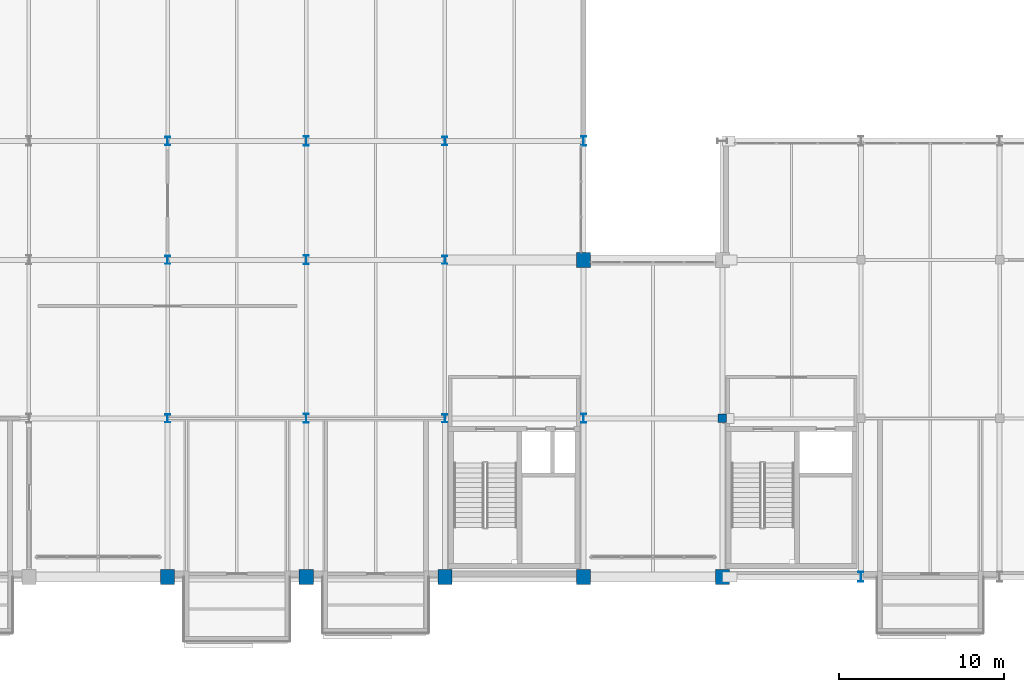
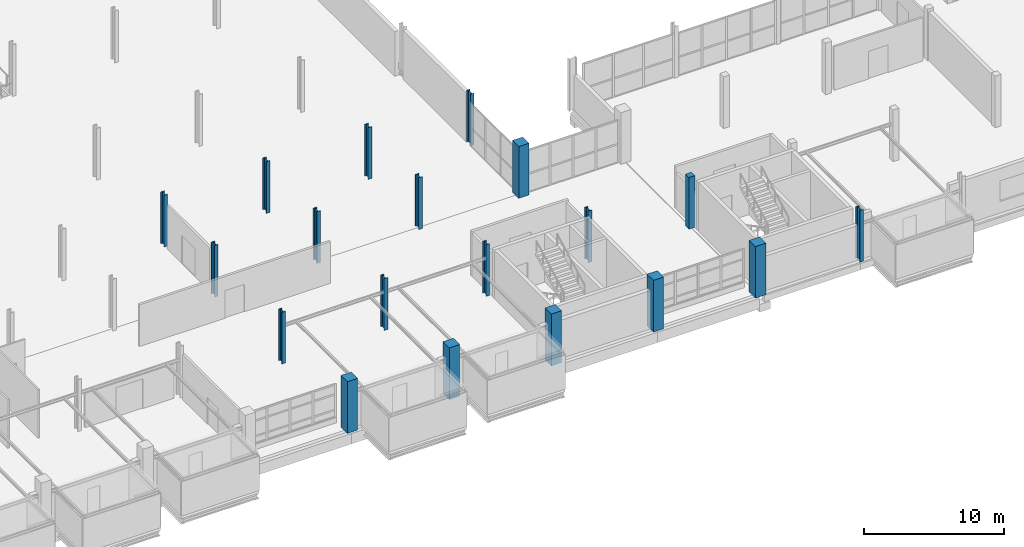
# One storey, part 4 of 109: 19 columns.
"""IFC4 building model written with IfcOpenShell, lengths in metres."""

from ifc_helpers import new_model, si_unit, direction, frame, origin, origin_2d, place, context, subcontext, project, spatial, rectangle, i_section, extrude, material, material_profile, profile_set, type_object, element, save


model = new_model("IFC4")

# Units and contexts
model_context = context("Model", 3, precision=1e-05, world=origin(), true_north=direction((0.0, 1.0)))
body_context = subcontext(model_context, "Body", "Model", "MODEL_VIEW")
ifc_project = project(units=[si_unit("LENGTHUNIT", "METRE"), si_unit("AREAUNIT", "SQUARE_METRE"), si_unit("VOLUMEUNIT", "CUBIC_METRE"), si_unit("PLANEANGLEUNIT", "RADIAN"), si_unit("MASSUNIT", "GRAM", prefix="KILO")], contexts=[model_context])

# Site, building, storey
site_placement = place(None, origin())
site = spatial("IfcSite", under=ifc_project, at=site_placement, CompositionType="ELEMENT")
building_placement = place(site_placement, origin())
building = spatial("IfcBuilding", under=site, at=building_placement, Name="Veltarok Museum of Natural Sciences", CompositionType="ELEMENT")
storey_placement = place(building_placement, frame((0.0, 0.0, 17.39990234375)))
storey = spatial("IfcBuildingStorey", under=building, at=storey_placement, Name="L03", CompositionType="ELEMENT", Elevation=17.39990234375)

# Columns
ifc_material_1 = material(Name="Concrete C40/50", Category="concrete")
ifc_material_profile_1 = material_profile(ifc_material_1, rectangle(XDim=0.85009765625, YDim=0.89990234375, at=origin_2d()), Name="RC 850x900")
ifc_profile_set_1 = profile_set([ifc_material_profile_1], Name="Concrete C40/50")
column_type_1 = type_object("IfcColumnType", Name="Exposed Cabinet Grid Column RC 850x900", PredefinedType="COLUMN", material=ifc_profile_set_1)
for number, where, z_axis, x_axis, name in (
    (1, (73.60009765625, 0.0, 0.0), (0.0, 0.0, 1.0), (1.0, 0.0, 0.0), "Column COL-CAB01 L03 9/A"),
    (2, (82.0, 0.0, 0.0), (0.0, 0.0, 1.0), (1.0, 0.0, 0.0), "Column COL-CAB01 L03 10/A"),
    (3, (90.39990234375, 0.0, 0.0), (0.0, 0.0, 1.0), (1.0, 0.0, 0.0), "Column COL-CAB01 L03 11/A"),
    (4, (98.800048828125, 0.0, 0.0), (0.0, 0.0, 1.0), (1.0, 0.0, 0.0), "Column COL-CAB01 L03 12/A"),
    (5, (98.800048828125, 19.199951171875, 0.0), (0.0, 0.0, 1.0), (1.0, 0.0, 0.0), "Column COL-CAB01 L03 12/C"),
    (6, (107.199951171875, 0.0, 0.0), (0.0, 0.0, 1.0), (1.0, 0.0, 0.0), "Column COL-CAB01 L03 13/A"),
):
    element("IfcColumn", number, at=place(storey_placement, frame(where, z_axis=z_axis, x_axis=x_axis)), inside=storey, type_object=column_type_1, Name=name, PredefinedType="COLUMN", context=body_context, shape_type="SweptSolid", body=[
        extrude(rectangle(XDim=0.85009765625, YDim=0.89990234375, at=origin_2d()), origin(), (0.0, 0.0, 1.0), 4.5),
    ])
ifc_material_2 = material(Name="Steel S355J2", Category="steel")
ifc_material_profile_2 = material_profile(ifc_material_2, i_section(OverallWidth=0.300048828125, OverallDepth=0.550048828125, WebThickness=0.014892578125, FlangeThickness=0.029052734375, FilletRadius=0.027099609375, at=origin_2d()), Name="HEB 550")
ifc_profile_set_2 = profile_set([ifc_material_profile_2], Name="Steel S355J2")
column_type_2 = type_object("IfcColumnType", Name="Mid-Rise Hall Column HEB 550", PredefinedType="COLUMN", material=ifc_profile_set_2)
for number, where, z_axis, x_axis, name in (
    (7, (82.0, 9.60009765625, 0.0), (0.0, 0.0, 1.0), (1.0, 0.0, 0.0), "Column COL-S10 L03 10/B"),
    (8, (82.0, 19.199951171875, 0.0), (0.0, 0.0, 1.0), (1.0, 0.0, 0.0), "Column COL-S10 L03 10/C"),
    (9, (82.0, 26.39990234375, 0.0), (0.0, 0.0, 1.0), (1.0, 0.0, 0.0), "Column COL-S10 L03 10/D"),
    (10, (98.800048828125, 9.60009765625, 0.0), (0.0, 0.0, 1.0), (1.0, 0.0, 0.0), "Column COL-S10 L03 12/B"),
):
    element("IfcColumn", number, at=place(storey_placement, frame(where, z_axis=z_axis, x_axis=x_axis)), inside=storey, type_object=column_type_2, Name=name, PredefinedType="COLUMN", context=body_context, shape_type="SweptSolid", body=[
        extrude(i_section(OverallWidth=0.300048828125, OverallDepth=0.550048828125, WebThickness=0.014892578125, FlangeThickness=0.029052734375, FilletRadius=0.027099609375, at=origin_2d()), origin(), (0.0, 0.0, 1.0), 4.5),
    ])
ifc_material_profile_3 = material_profile(ifc_material_2, i_section(OverallWidth=0.300048828125, OverallDepth=0.60009765625, WebThickness=0.015380859375, FlangeThickness=0.030029296875, FilletRadius=0.027099609375, at=origin_2d()), Name="HEB 600")
ifc_profile_set_3 = profile_set([ifc_material_profile_3], Name="Steel S355J2")
column_type_3 = type_object("IfcColumnType", Name="Perimeter Passage Column HEB 600", PredefinedType="COLUMN", material=ifc_profile_set_3)
for number, where, z_axis, x_axis, name in (
    (11, (98.800048828125, 26.39990234375, 0.0), (0.0, 0.0, 1.0), (1.0, 0.0, 0.0), "Column COL-EXT02 L03 12/D"),
    (12, (115.60009765625, 0.0, 0.0), (0.0, 0.0, 1.0), (1.0, 0.0, 0.0), "Column COL-EXT02 L03 14/A"),
):
    element("IfcColumn", number, at=place(storey_placement, frame(where, z_axis=z_axis, x_axis=x_axis)), inside=storey, type_object=column_type_3, Name=name, PredefinedType="COLUMN", context=body_context, shape_type="SweptSolid", body=[
        extrude(i_section(OverallWidth=0.300048828125, OverallDepth=0.60009765625, WebThickness=0.015380859375, FlangeThickness=0.030029296875, FilletRadius=0.027099609375, at=origin_2d()), origin(), (0.0, 0.0, 1.0), 4.5),
    ])
ifc_material_profile_4 = material_profile(ifc_material_2, i_section(OverallWidth=0.300048828125, OverallDepth=0.5, WebThickness=0.014404296875, FlangeThickness=0.028076171875, FilletRadius=0.027099609375, at=origin_2d()), Name="HEB 500")
ifc_profile_set_4 = profile_set([ifc_material_profile_4], Name="Steel S355J2")
column_type_4 = type_object("IfcColumnType", Name="Upper Gallery Column HEB 500", PredefinedType="COLUMN", material=ifc_profile_set_4)
for number, where, z_axis, x_axis, name in (
    (13, (73.60009765625, 9.60009765625, 0.0), (0.0, 0.0, 1.0), (1.0, 0.0, 0.0), "Column COL-S05 L03 9/B"),
    (14, (73.60009765625, 19.199951171875, 0.0), (0.0, 0.0, 1.0), (1.0, 0.0, 0.0), "Column COL-S05 L03 9/C"),
    (15, (73.60009765625, 26.39990234375, 0.0), (0.0, 0.0, 1.0), (1.0, 0.0, 0.0), "Column COL-S05 L03 9/D"),
    (16, (90.39990234375, 9.60009765625, 0.0), (0.0, 0.0, 1.0), (1.0, 0.0, 0.0), "Column COL-S05 L03 11/B"),
    (17, (90.39990234375, 19.199951171875, 0.0), (0.0, 0.0, 1.0), (1.0, 0.0, 0.0), "Column COL-S05 L03 11/C"),
    (18, (90.39990234375, 26.39990234375, 0.0), (0.0, 0.0, 1.0), (1.0, 0.0, 0.0), "Column COL-S05 L03 11/D"),
):
    element("IfcColumn", number, at=place(storey_placement, frame(where, z_axis=z_axis, x_axis=x_axis)), inside=storey, type_object=column_type_4, Name=name, PredefinedType="COLUMN", context=body_context, shape_type="SweptSolid", body=[
        extrude(i_section(OverallWidth=0.300048828125, OverallDepth=0.5, WebThickness=0.014404296875, FlangeThickness=0.028076171875, FilletRadius=0.027099609375, at=origin_2d()), origin(), (0.0, 0.0, 1.0), 4.5),
    ])
ifc_material_profile_5 = material_profile(ifc_material_1, rectangle(XDim=0.5, YDim=0.5, at=origin_2d()), Name="RC 500x500")
ifc_profile_set_5 = profile_set([ifc_material_profile_5], Name="Concrete C40/50")
column_type_5 = type_object("IfcColumnType", Name="Upper Lab Column RC 500x500", PredefinedType="COLUMN", material=ifc_profile_set_5)
column_placement = place(storey_placement, frame((107.199951171875, 9.60009765625, 0.0), z_axis=(0.0, 0.0, 1.0), x_axis=(0.0, 1.0, 0.0)))
element("IfcColumn", 19, at=column_placement, inside=storey, type_object=column_type_5, Name="Column COL-RC03 L03 13/B", PredefinedType="COLUMN", context=body_context, shape_type="SweptSolid", body=[
    extrude(rectangle(XDim=0.5, YDim=0.5, at=origin_2d()), origin(), (0.0, 0.0, 1.0), 4.5),
])

save(model, "model.ifc")
